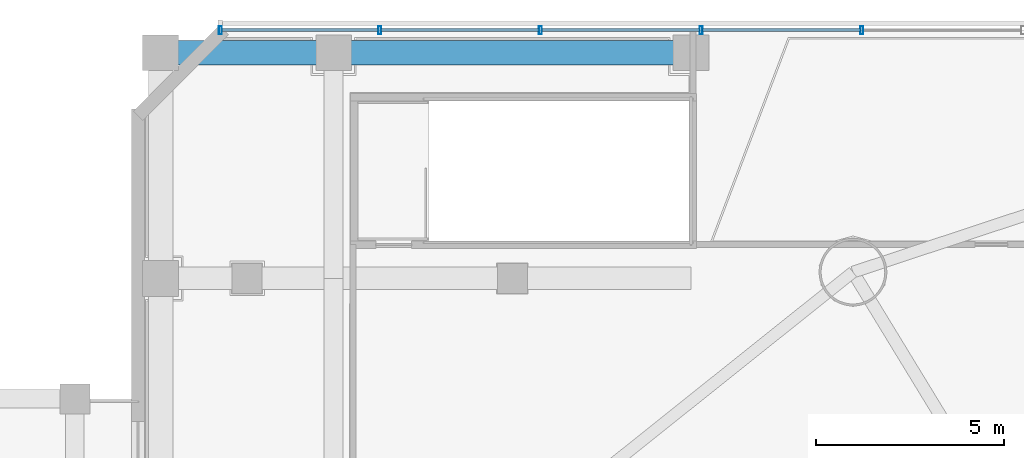
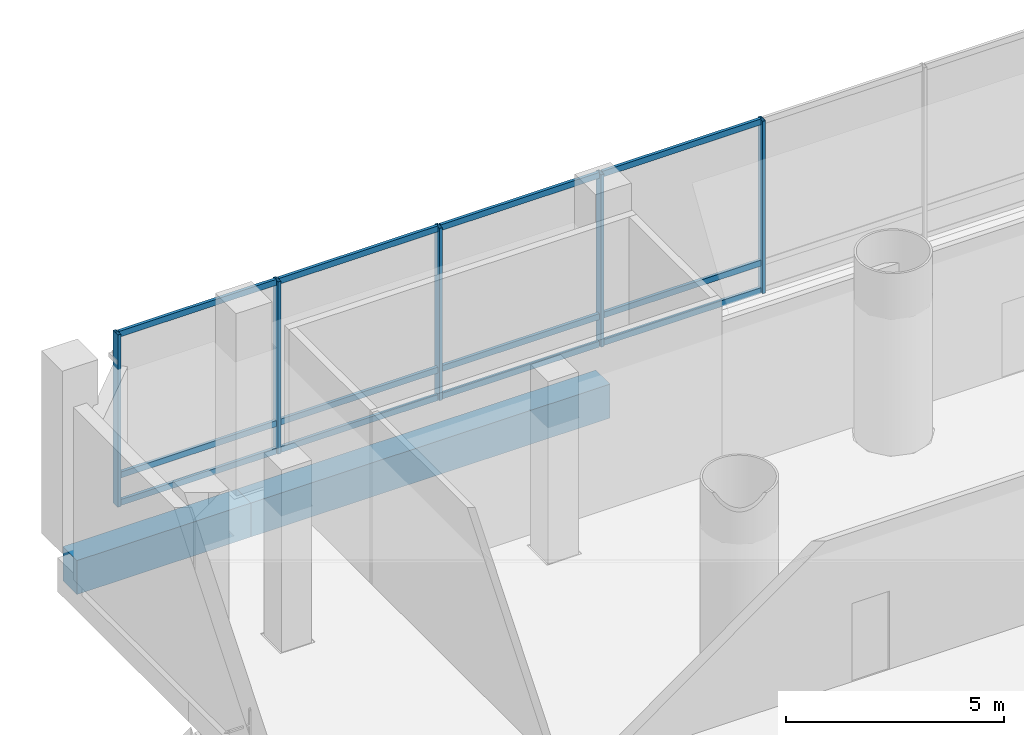
# One storey, part 11 of 31: 17 members, 2 beams, 1 element without a shape of its own.
"""IFC4 building model written with IfcOpenShell, lengths in metres."""

from ifc_helpers import new_model, si_unit, direction, frame, origin, origin_2d, place, context, subcontext, project, spatial, rectangle, hollow_rectangle, extrude, source, transform, mapped, material, material_profile, profile_set, type_object, element, aggregate, save


model = new_model("IFC4")

# Units and contexts
model_context = context("Model", 3, precision=1e-05, world=origin(), true_north=direction((-0.2419218956, 0.970295726276)))
body_context = subcontext(model_context, "Body", "Model", "MODEL_VIEW")
ifc_project = project(units=[si_unit("LENGTHUNIT", "METRE"), si_unit("AREAUNIT", "SQUARE_METRE"), si_unit("VOLUMEUNIT", "CUBIC_METRE"), si_unit("PLANEANGLEUNIT", "RADIAN"), si_unit("MASSUNIT", "GRAM", prefix="KILO")], contexts=[model_context])

# Site, building, storey
site_placement = place(None, origin())
site = spatial("IfcSite", under=ifc_project, at=site_placement, CompositionType="ELEMENT")
building_placement = place(site_placement, origin())
building = spatial("IfcBuilding", under=site, at=building_placement, Name="Cobrevalo Terracotta Tower", CompositionType="ELEMENT")
storey_placement = place(building_placement, frame((0.0, 0.0, 18.89990234375)))
storey = spatial("IfcBuildingStorey", under=building, at=storey_placement, Name="L04", CompositionType="ELEMENT", Elevation=18.89990234375)

# Beams
ifc_material_1 = material(Name="Concrete C50", Category="concrete")
ifc_material_profile_1 = material_profile(ifc_material_1, rectangle(XDim=0.64990234375, YDim=0.949951171875, at=origin_2d()), Name="RC BM 650x950")
ifc_profile_set_1 = profile_set([ifc_material_profile_1], Name="Concrete C50")
beam_type = type_object("IfcBeamType", Name="Structural Spandrel RC BM 650x950 (Concrete C50)", PredefinedType="SPANDREL", material=ifc_profile_set_1)
beam_1_placement = place(storey_placement, frame((4.39990234375, 50.800048828125, -0.9248046875), z_axis=(1.0, 0.0, 0.0), x_axis=(0.0, 1.0, 0.0)))
element("IfcBeam", 1, at=beam_1_placement, inside=storey, type_object=beam_type, Name="L04 podium grid beam G1-GG to G2-GG", PredefinedType="SPANDREL", context=body_context, shape_type="SweptSolid", body=[
    extrude(rectangle(XDim=0.64990234375, YDim=0.949951171875, at=origin_2d()), origin(), (0.0, 0.0, 1.0), 4.60009765625),
])
beam_2_placement = place(storey_placement, frame((9.0, 50.800048828125, -0.9248046875), z_axis=(1.0, 0.0, 0.0), x_axis=(0.0, 1.0, 0.0)))
element("IfcBeam", 2, at=beam_2_placement, inside=storey, type_object=beam_type, Name="L04 podium grid beam G2-GG to G3-GG", PredefinedType="SPANDREL", context=body_context, shape_type="SweptSolid", body=[
    extrude(rectangle(XDim=0.64990234375, YDim=0.949951171875, at=origin_2d()), origin(), (0.0, 0.0, 1.0), 9.5),
])

# Curtain wall, members
ifc_material_2 = material(Name="Anodized aluminium", Category="aluminium")
curtain_wall_type = type_object("IfcCurtainWallType", Name="Podium gallery & conservatory curtain wall CW-S2", PredefinedType="NOTDEFINED", material=ifc_material_2)
curtain_wall_placement = place(storey_placement, origin())
curtain_wall = element("IfcCurtainWall", 3, at=curtain_wall_placement, inside=storey, type_object=curtain_wall_type, Name="L04 curtain wall CW-POD-L04-N", PredefinedType="NOTDEFINED")
ifc_material_profile_2 = material_profile(ifc_material_2, hollow_rectangle(XDim=0.080078125, YDim=0.1650390625, WallThickness=0.00439453125, at=origin_2d()), Name="CWT 80x165")
ifc_profile_set_2 = profile_set([ifc_material_profile_2], Name="Anodized aluminium")
member_type_1 = type_object("IfcMemberType", Name="Storefront & atrium aluminium transom 80x165", PredefinedType="USERDEFINED", material=ifc_profile_set_2)
shared_shape_1 = source(origin(), body_context, "Body", "SweptSolid", [
    extrude(hollow_rectangle(XDim=0.080078125, YDim=0.1650390625, WallThickness=0.00439453125, at=origin_2d()), origin(), (0.0, 0.0, 1.0), 4.1533203125),
])
member_1_placement = place(storey_placement, frame((10.183349609375, 51.39990234375, 0.050048828125), z_axis=(-1.0, 0.0, 0.0), x_axis=(0.0, -1.0, 0.0)))
member_1 = element("IfcMember", 4, at=member_1_placement, type_object=member_type_1, Name="CW-POD-L04-N transom B15-T1", ObjectType="TRANSOM", PredefinedType="USERDEFINED", context=body_context, shape_type="MappedRepresentation", body=[
    mapped(shared_shape_1, transform((0.0, 0.0, 0.0), scale=1.0)),
])
member_2_placement = place(storey_placement, frame((10.183349609375, 51.39990234375, 0.820068359375), z_axis=(-1.0, 0.0, 0.0), x_axis=(0.0, -1.0, 0.0)))
member_2 = element("IfcMember", 5, at=member_2_placement, type_object=member_type_1, Name="CW-POD-L04-N transom B15-T2", ObjectType="TRANSOM", PredefinedType="USERDEFINED", context=body_context, shape_type="MappedRepresentation", body=[
    mapped(shared_shape_1, transform((0.0, 0.0, 0.0), scale=1.0)),
])
member_3_placement = place(storey_placement, frame((10.183349609375, 51.39990234375, 4.77001953125), z_axis=(-1.0, 0.0, 0.0), x_axis=(0.0, -1.0, 0.0)))
member_3 = element("IfcMember", 6, at=member_3_placement, type_object=member_type_1, Name="CW-POD-L04-N transom B15-T3", ObjectType="TRANSOM", PredefinedType="USERDEFINED", context=body_context, shape_type="MappedRepresentation", body=[
    mapped(shared_shape_1, transform((0.0, 0.0, 0.0), scale=1.0)),
])
shared_shape_2 = source(origin(), body_context, "Body", "SweptSolid", [
    extrude(hollow_rectangle(XDim=0.080078125, YDim=0.1650390625, WallThickness=0.00439453125, at=origin_2d()), origin(), (0.0, 0.0, 1.0), 4.193359375),
])
member_4_placement = place(storey_placement, frame((23.00341796875, 51.39990234375, 0.050048828125), z_axis=(-1.0, 0.0, 0.0), x_axis=(0.0, -1.0, 0.0)))
member_4 = element("IfcMember", 7, at=member_4_placement, type_object=member_type_1, Name="CW-POD-L04-N transom B12-T1", ObjectType="TRANSOM", PredefinedType="USERDEFINED", context=body_context, shape_type="MappedRepresentation", body=[
    mapped(shared_shape_2, transform((0.0, 0.0, 0.0), scale=1.0)),
])
member_5_placement = place(storey_placement, frame((23.00341796875, 51.39990234375, 0.820068359375), z_axis=(-1.0, 0.0, 0.0), x_axis=(0.0, -1.0, 0.0)))
member_5 = element("IfcMember", 8, at=member_5_placement, type_object=member_type_1, Name="CW-POD-L04-N transom B12-T2", ObjectType="TRANSOM", PredefinedType="USERDEFINED", context=body_context, shape_type="MappedRepresentation", body=[
    mapped(shared_shape_2, transform((0.0, 0.0, 0.0), scale=1.0)),
])
member_6_placement = place(storey_placement, frame((23.00341796875, 51.39990234375, 4.77001953125), z_axis=(-1.0, 0.0, 0.0), x_axis=(0.0, -1.0, 0.0)))
member_6 = element("IfcMember", 9, at=member_6_placement, type_object=member_type_1, Name="CW-POD-L04-N transom B12-T3", ObjectType="TRANSOM", PredefinedType="USERDEFINED", context=body_context, shape_type="MappedRepresentation", body=[
    mapped(shared_shape_2, transform((0.0, 0.0, 0.0), scale=1.0)),
])
member_7_placement = place(storey_placement, frame((18.72998046875, 51.39990234375, 0.050048828125), z_axis=(-1.0, 0.0, 0.0), x_axis=(0.0, -1.0, 0.0)))
member_7 = element("IfcMember", 10, at=member_7_placement, type_object=member_type_1, Name="CW-POD-L04-N transom B13-T1", ObjectType="TRANSOM", PredefinedType="USERDEFINED", context=body_context, shape_type="MappedRepresentation", body=[
    mapped(shared_shape_2, transform((0.0, 0.0, 0.0), scale=1.0)),
])
member_8_placement = place(storey_placement, frame((18.72998046875, 51.39990234375, 0.820068359375), z_axis=(-1.0, 0.0, 0.0), x_axis=(0.0, -1.0, 0.0)))
member_8 = element("IfcMember", 11, at=member_8_placement, type_object=member_type_1, Name="CW-POD-L04-N transom B13-T2", ObjectType="TRANSOM", PredefinedType="USERDEFINED", context=body_context, shape_type="MappedRepresentation", body=[
    mapped(shared_shape_2, transform((0.0, 0.0, 0.0), scale=1.0)),
])
member_9_placement = place(storey_placement, frame((18.72998046875, 51.39990234375, 4.77001953125), z_axis=(-1.0, 0.0, 0.0), x_axis=(0.0, -1.0, 0.0)))
member_9 = element("IfcMember", 12, at=member_9_placement, type_object=member_type_1, Name="CW-POD-L04-N transom B13-T3", ObjectType="TRANSOM", PredefinedType="USERDEFINED", context=body_context, shape_type="MappedRepresentation", body=[
    mapped(shared_shape_2, transform((0.0, 0.0, 0.0), scale=1.0)),
])
member_10_placement = place(storey_placement, frame((14.456787109375, 51.39990234375, 0.050048828125), z_axis=(-1.0, 0.0, 0.0), x_axis=(0.0, -1.0, 0.0)))
member_10 = element("IfcMember", 13, at=member_10_placement, type_object=member_type_1, Name="CW-POD-L04-N transom B14-T1", ObjectType="TRANSOM", PredefinedType="USERDEFINED", context=body_context, shape_type="MappedRepresentation", body=[
    mapped(shared_shape_2, transform((0.0, 0.0, 0.0), scale=1.0)),
])
member_11_placement = place(storey_placement, frame((14.456787109375, 51.39990234375, 0.820068359375), z_axis=(-1.0, 0.0, 0.0), x_axis=(0.0, -1.0, 0.0)))
member_11 = element("IfcMember", 14, at=member_11_placement, type_object=member_type_1, Name="CW-POD-L04-N transom B14-T2", ObjectType="TRANSOM", PredefinedType="USERDEFINED", context=body_context, shape_type="MappedRepresentation", body=[
    mapped(shared_shape_2, transform((0.0, 0.0, 0.0), scale=1.0)),
])
member_12_placement = place(storey_placement, frame((14.456787109375, 51.39990234375, 4.77001953125), z_axis=(-1.0, 0.0, 0.0), x_axis=(0.0, -1.0, 0.0)))
member_12 = element("IfcMember", 15, at=member_12_placement, type_object=member_type_1, Name="CW-POD-L04-N transom B14-T3", ObjectType="TRANSOM", PredefinedType="USERDEFINED", context=body_context, shape_type="MappedRepresentation", body=[
    mapped(shared_shape_2, transform((0.0, 0.0, 0.0), scale=1.0)),
])
ifc_material_profile_3 = material_profile(ifc_material_2, hollow_rectangle(XDim=0.080078125, YDim=0.219970703125, WallThickness=0.0048828125, at=origin_2d()), Name="CWM 80x220")
ifc_profile_set_3 = profile_set([ifc_material_profile_3], Name="Anodized aluminium")
member_type_2 = type_object("IfcMemberType", Name="Storefront & atrium aluminium mullion 80x220", PredefinedType="MULLION", material=ifc_profile_set_3)
shared_shape_3 = source(origin(), body_context, "Body", "SweptSolid", [
    extrude(hollow_rectangle(XDim=0.080078125, YDim=0.219970703125, WallThickness=0.0048828125, at=origin_2d()), origin(), (0.0, 0.0, 1.0), 4.820068359375),
])
member_13_placement = place(storey_placement, frame((23.043212890625, 51.39990234375, 0.0), z_axis=(0.0, 0.0, 1.0), x_axis=(-1.0, 0.0, 0.0)))
member_13 = element("IfcMember", 16, at=member_13_placement, type_object=member_type_2, Name="CW-POD-L04-N vertical mullion 12", PredefinedType="MULLION", context=body_context, shape_type="MappedRepresentation", body=[
    mapped(shared_shape_3, transform((0.0, 0.0, 0.0), scale=1.0)),
])
member_14_placement = place(storey_placement, frame((18.77001953125, 51.39990234375, 0.0), z_axis=(0.0, 0.0, 1.0), x_axis=(-1.0, 0.0, 0.0)))
member_14 = element("IfcMember", 17, at=member_14_placement, type_object=member_type_2, Name="CW-POD-L04-N vertical mullion 13", PredefinedType="MULLION", context=body_context, shape_type="MappedRepresentation", body=[
    mapped(shared_shape_3, transform((0.0, 0.0, 0.0), scale=1.0)),
])
member_15_placement = place(storey_placement, frame((14.49658203125, 51.39990234375, 0.0), z_axis=(0.0, 0.0, 1.0), x_axis=(-1.0, 0.0, 0.0)))
member_15 = element("IfcMember", 18, at=member_15_placement, type_object=member_type_2, Name="CW-POD-L04-N vertical mullion 14", PredefinedType="MULLION", context=body_context, shape_type="MappedRepresentation", body=[
    mapped(shared_shape_3, transform((0.0, 0.0, 0.0), scale=1.0)),
])
member_16_placement = place(storey_placement, frame((10.223388671875, 51.39990234375, 0.0), z_axis=(0.0, 0.0, 1.0), x_axis=(-1.0, 0.0, 0.0)))
member_16 = element("IfcMember", 19, at=member_16_placement, type_object=member_type_2, Name="CW-POD-L04-N vertical mullion 15", PredefinedType="MULLION", context=body_context, shape_type="MappedRepresentation", body=[
    mapped(shared_shape_3, transform((0.0, 0.0, 0.0), scale=1.0)),
])
member_17_placement = place(storey_placement, frame((5.989990234375, 51.39990234375, 0.0), z_axis=(0.0, 0.0, 1.0), x_axis=(-1.0, 0.0, 0.0)))
member_17 = element("IfcMember", 20, at=member_17_placement, type_object=member_type_2, Name="CW-POD-L04-N vertical mullion 16", PredefinedType="MULLION", context=body_context, shape_type="MappedRepresentation", body=[
    mapped(shared_shape_3, transform((0.0, 0.0, 0.0), scale=1.0)),
])
aggregate(curtain_wall, [member_13, member_14, member_15, member_16, member_17, member_4, member_5, member_6, member_7, member_8, member_9, member_10, member_11, member_12, member_1, member_2, member_3])

save(model, "model.ifc")
